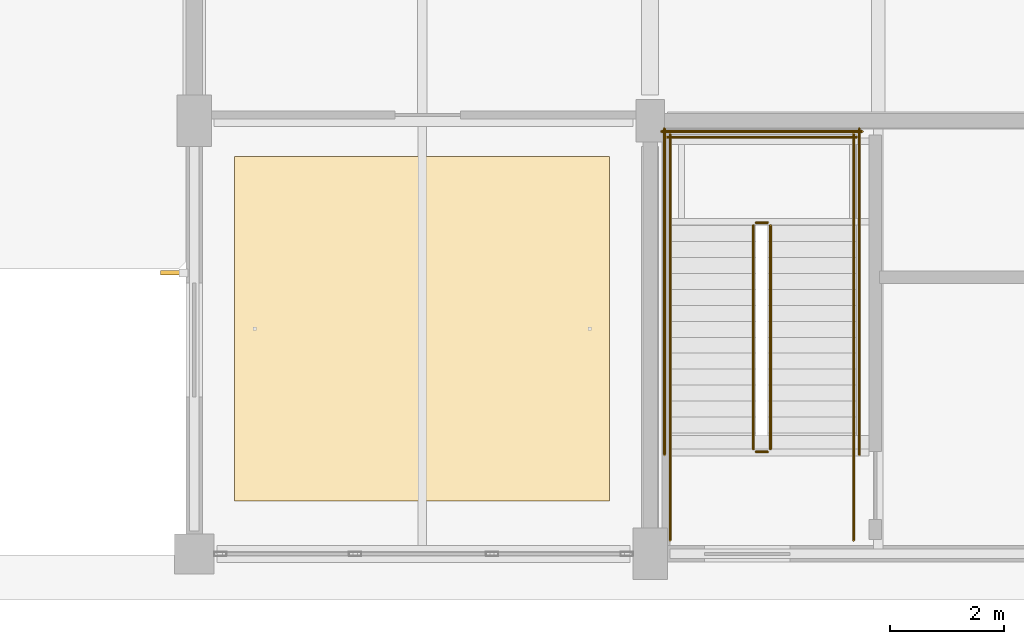
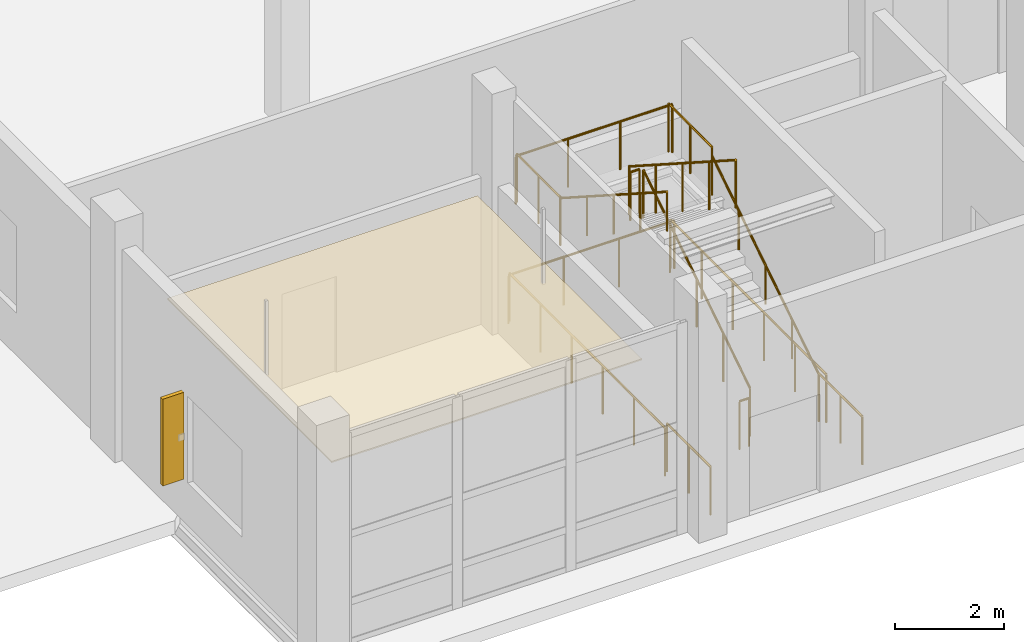
# One storey, part 114 of 126: 14 railings, 1 covering, 1 shading device.
"""IFC4 building model written with IfcOpenShell, lengths in metres."""

from ifc_helpers import new_model, si_unit, direction, frame, origin, origin_2d, place, context, subcontext, project, spatial, polyline, rectangle, circle, outline, extrude, material, layer, layer_set, type_object, element, save


model = new_model("IFC4")

# Units and contexts
model_context = context("Model", 3, precision=1e-05, world=origin(), true_north=direction((0.0, 1.0)))
body_context = subcontext(model_context, "Body", "Model", "MODEL_VIEW")
ifc_project = project(units=[si_unit("LENGTHUNIT", "METRE"), si_unit("AREAUNIT", "SQUARE_METRE"), si_unit("VOLUMEUNIT", "CUBIC_METRE"), si_unit("PLANEANGLEUNIT", "RADIAN"), si_unit("MASSUNIT", "GRAM", prefix="KILO")], contexts=[model_context])

# Site, building, storey
site_placement = place(None, origin())
site = spatial("IfcSite", under=ifc_project, at=site_placement, CompositionType="ELEMENT")
building_placement = place(site_placement, origin())
building = spatial("IfcBuilding", under=site, at=building_placement, Name="Khelvaren Railside Concert Hall", CompositionType="ELEMENT")
storey_placement = place(building_placement, origin())
storey = spatial("IfcBuildingStorey", under=building, at=storey_placement, Name="L00", CompositionType="ELEMENT", Elevation=0.0)

# Covering
ifc_material_1 = material(Name="Micro-perforated timber acoustic ceiling", Category="wood")
ifc_layer = layer(ifc_material_1, 0.030029296875)
ifc_layer_set = layer_set([ifc_layer], Name="Micro-perforated timber acoustic ceiling")
covering_type = type_object("IfcCoveringType", Name="CLG77", PredefinedType="CEILING", material=ifc_layer_set)
covering_placement = place(storey_placement, frame((0.0, 0.0, 3.419921875)))
element("IfcCovering", 1, at=covering_placement, inside=storey, type_object=covering_type, Name="Suspended Acoustic Ceiling Archive West Study Alcove L00", PredefinedType="CEILING", context=body_context, shape_type="SweptSolid", body=[
    extrude(outline(polyline([(64.7099609375, 0.929931640625), (71.2900390625, 0.929931640625), (71.2900390625, 6.969970703125), (64.7099609375, 6.969970703125), (64.7099609375, 0.929931640625)])), origin(), (0.0, 0.0, 1.0), 0.030029296875),
])

# Railings
ifc_material_2 = material(Name="Painted architectural steel", Category="steel")
railing_type_1 = type_object("IfcRailingType", Name="GRD86", PredefinedType="GUARDRAIL", material=ifc_material_2)
railing_1_placement = place(storey_placement, frame((74.110107421875, 1.840087890625, 0.179931640625)))
element("IfcRailing", 2, at=railing_1_placement, inside=storey, type_object=railing_type_1, Name="L00 ST-05 stair guard 1", PredefinedType="GUARDRAIL", context=body_context, shape_type="SweptSolid", body=[
    extrude(circle(Radius=0.02392578125, at=origin_2d()), frame((0.0, 0.0, 1.076171875), z_axis=(0.0, 0.841171666519, 0.540768182723), x_axis=(-1.0, 0.0, 0.0)), (0.0, 0.0, 1.0), 4.66015625),
    extrude(circle(Radius=0.02099609375, at=origin_2d()), origin(), (0.0, 0.0, 1.0), 1.052001953125),
    extrude(circle(Radius=0.02099609375, at=origin_2d()), frame((0.0, 0.97998046875, 0.6298828125)), (0.0, 0.0, 1.0), 1.052001953125),
    extrude(circle(Radius=0.02099609375, at=origin_2d()), frame((0.0, 1.9599609375, 1.260009765625)), (0.0, 0.0, 1.0), 1.052001953125),
    extrude(circle(Radius=0.02099609375, at=origin_2d()), frame((0.0, 2.93994140625, 1.89013671875)), (0.0, 0.0, 1.0), 1.052001953125),
    extrude(circle(Radius=0.02099609375, at=origin_2d()), frame((0.0, 3.919921875, 2.52001953125)), (0.0, 0.0, 1.0), 1.052001953125),
])
railing_2_placement = place(storey_placement, frame((74.06005859375, 5.81005859375, 2.699951171875)))
element("IfcRailing", 3, at=railing_2_placement, inside=storey, type_object=railing_type_1, Name="L00 ST-05 stair guard 2", PredefinedType="GUARDRAIL", context=body_context, shape_type="SweptSolid", body=[
    extrude(circle(Radius=0.02392578125, at=origin_2d()), frame((0.0, 0.0, 1.076171875), z_axis=(-1.0, 0.0, 0.0), x_axis=(0.0, -1.0, 0.0)), (0.0, 0.0, 1.0), 0.199951171875),
    extrude(circle(Radius=0.02099609375, at=origin_2d()), origin(), (0.0, 0.0, 1.0), 1.052001953125),
    extrude(circle(Radius=0.02099609375, at=origin_2d()), frame((-0.199951171875, 0.0, 0.0)), (0.0, 0.0, 1.0), 1.052001953125),
])
for number, where, name in (
    (4, (75.570068359375, 5.760009765625, 2.699951171875), "L00 ST-05 stair guard 3"),
    (5, (72.35009765625, 5.760009765625, 2.699951171875), "L00 ST-05 stair guard 4"),
):
    element("IfcRailing", number, at=place(storey_placement, frame(where)), inside=storey, type_object=railing_type_1, Name=name, PredefinedType="GUARDRAIL", context=body_context, shape_type="SweptSolid", body=[
        extrude(circle(Radius=0.02392578125, at=origin_2d()), frame((0.0, 0.0, 1.076171875), z_axis=(0.0, 1.0, 0.0), x_axis=(-1.0, 0.0, 0.0)), (0.0, 0.0, 1.0), 1.60009765625),
        extrude(circle(Radius=0.02099609375, at=origin_2d()), origin(), (0.0, 0.0, 1.0), 1.052001953125),
        extrude(circle(Radius=0.02099609375, at=origin_2d()), frame((0.0, 0.800048828125, 0.0)), (0.0, 0.0, 1.0), 1.052001953125),
        extrude(circle(Radius=0.02099609375, at=origin_2d()), frame((0.0, 1.60009765625, 0.0)), (0.0, 0.0, 1.0), 1.052001953125),
    ])
railing_3_placement = place(storey_placement, frame((75.6201171875, 7.31005859375, 2.699951171875)))
element("IfcRailing", 6, at=railing_3_placement, inside=storey, type_object=railing_type_1, Name="L00 ST-05 stair guard 5", PredefinedType="GUARDRAIL", context=body_context, shape_type="SweptSolid", body=[
    extrude(circle(Radius=0.02392578125, at=origin_2d()), frame((0.0, 0.0, 1.076171875), z_axis=(-1.0, 0.0, 0.0), x_axis=(0.0, -1.0, 0.0)), (0.0, 0.0, 1.0), 3.320068359375),
    extrude(circle(Radius=0.02099609375, at=origin_2d()), origin(), (0.0, 0.0, 1.0), 1.052001953125),
    extrude(circle(Radius=0.02099609375, at=origin_2d()), frame((-1.106689453125, 0.0, 0.0)), (0.0, 0.0, 1.0), 1.052001953125),
    extrude(circle(Radius=0.02099609375, at=origin_2d()), frame((-2.21337890625, 0.0, 0.0)), (0.0, 0.0, 1.0), 1.052001953125),
    extrude(circle(Radius=0.02099609375, at=origin_2d()), frame((-3.320068359375, 0.0, 0.0)), (0.0, 0.0, 1.0), 1.052001953125),
])
railing_4_placement = place(storey_placement, frame((73.81005859375, 5.760009765625, 2.8798828125)))
element("IfcRailing", 7, at=railing_4_placement, inside=storey, type_object=railing_type_1, Name="L00 ST-05 stair guard 6", PredefinedType="GUARDRAIL", context=body_context, shape_type="SweptSolid", body=[
    extrude(circle(Radius=0.02392578125, at=origin_2d()), frame((0.0, 0.0, 1.076171875), z_axis=(0.0, -0.841171666519, 0.540768182723), x_axis=(1.0, 0.0, 0.0)), (0.0, 0.0, 1.0), 4.66015625),
    extrude(circle(Radius=0.02099609375, at=origin_2d()), origin(), (0.0, 0.0, 1.0), 1.052001953125),
    extrude(circle(Radius=0.02099609375, at=origin_2d()), frame((0.0, -0.97998046875, 0.6298828125)), (0.0, 0.0, 1.0), 1.052001953125),
    extrude(circle(Radius=0.02099609375, at=origin_2d()), frame((0.0, -1.9599609375, 1.260009765625)), (0.0, 0.0, 1.0), 1.052001953125),
    extrude(circle(Radius=0.02099609375, at=origin_2d()), frame((0.0, -2.93994140625, 1.89013671875)), (0.0, 0.0, 1.0), 1.052001953125),
    extrude(circle(Radius=0.02099609375, at=origin_2d()), frame((0.0, -3.919921875, 2.52001953125)), (0.0, 0.0, 1.0), 1.052001953125),
])
railing_5_placement = place(storey_placement, frame((74.06005859375, 1.7900390625, 0.0)))
element("IfcRailing", 8, at=railing_5_placement, inside=storey, type_object=railing_type_1, Name="L00 ST-05 stair guard 7", PredefinedType="GUARDRAIL", context=body_context, shape_type="SweptSolid", body=[
    extrude(circle(Radius=0.02392578125, at=origin_2d()), frame((0.0, 0.0, 1.076171875), z_axis=(-1.0, 0.0, 0.0), x_axis=(0.0, -1.0, 0.0)), (0.0, 0.0, 1.0), 0.199951171875),
    extrude(circle(Radius=0.02099609375, at=origin_2d()), origin(), (0.0, 0.0, 1.0), 1.052001953125),
    extrude(circle(Radius=0.02099609375, at=origin_2d()), frame((-0.199951171875, 0.0, 0.0)), (0.0, 0.0, 1.0), 1.052001953125),
])
for number, where, name in (
    (9, (75.570068359375, 0.239990234375, 0.0), "L00 ST-05 stair guard 8"),
    (10, (72.35009765625, 0.239990234375, 0.0), "L00 ST-05 stair guard 9"),
):
    element("IfcRailing", number, at=place(storey_placement, frame(where)), inside=storey, type_object=railing_type_1, Name=name, PredefinedType="GUARDRAIL", context=body_context, shape_type="SweptSolid", body=[
        extrude(circle(Radius=0.02392578125, at=origin_2d()), frame((0.0, 0.0, 1.076171875), z_axis=(0.0, 1.0, 0.0), x_axis=(-1.0, 0.0, 0.0)), (0.0, 0.0, 1.0), 1.60009765625),
        extrude(circle(Radius=0.02099609375, at=origin_2d()), origin(), (0.0, 0.0, 1.0), 1.052001953125),
        extrude(circle(Radius=0.02099609375, at=origin_2d()), frame((0.0, 0.800048828125, 0.0)), (0.0, 0.0, 1.0), 1.052001953125),
        extrude(circle(Radius=0.02099609375, at=origin_2d()), frame((0.0, 1.60009765625, 0.0)), (0.0, 0.0, 1.0), 1.052001953125),
    ])
for number, where, name in (
    (11, (75.669921875, 1.739990234375, 0.0), "L00 ST-05 stair guard 10"),
    (12, (72.25, 1.739990234375, 0.0), "L00 ST-05 stair guard 11"),
):
    element("IfcRailing", number, at=place(storey_placement, frame(where)), inside=storey, type_object=railing_type_1, Name=name, PredefinedType="GUARDRAIL", context=body_context, shape_type="SweptSolid", body=[
        extrude(circle(Radius=0.02392578125, at=origin_2d()), frame((0.0, 0.0, 1.076171875), z_axis=(0.0, 1.0, 0.0), x_axis=(-1.0, 0.0, 0.0)), (0.0, 0.0, 1.0), 5.719970703125),
        extrude(circle(Radius=0.02099609375, at=origin_2d()), origin(), (0.0, 0.0, 1.0), 1.052001953125),
        extrude(circle(Radius=0.02099609375, at=origin_2d()), frame((0.0, 1.14404296875, 0.0)), (0.0, 0.0, 1.0), 1.052001953125),
        extrude(circle(Radius=0.02099609375, at=origin_2d()), frame((0.0, 2.2880859375, 0.0)), (0.0, 0.0, 1.0), 1.052001953125),
        extrude(circle(Radius=0.02099609375, at=origin_2d()), frame((0.0, 3.431884765625, 0.0)), (0.0, 0.0, 1.0), 1.052001953125),
        extrude(circle(Radius=0.02099609375, at=origin_2d()), frame((0.0, 4.575927734375, 0.0)), (0.0, 0.0, 1.0), 1.052001953125),
        extrude(circle(Radius=0.02099609375, at=origin_2d()), frame((0.0, 5.719970703125, 0.0)), (0.0, 0.0, 1.0), 1.052001953125),
    ])
railing_6_placement = place(storey_placement, frame((75.719970703125, 7.409912109375, 0.0)))
element("IfcRailing", 13, at=railing_6_placement, inside=storey, type_object=railing_type_1, Name="L00 ST-05 stair guard 12", PredefinedType="GUARDRAIL", context=body_context, shape_type="SweptSolid", body=[
    extrude(circle(Radius=0.02392578125, at=origin_2d()), frame((0.0, 0.0, 1.076171875), z_axis=(-1.0, 0.0, 0.0), x_axis=(0.0, -1.0, 0.0)), (0.0, 0.0, 1.0), 3.52001953125),
    extrude(circle(Radius=0.02099609375, at=origin_2d()), origin(), (0.0, 0.0, 1.0), 1.052001953125),
    extrude(circle(Radius=0.02099609375, at=origin_2d()), frame((-1.17333984375, 0.0, 0.0)), (0.0, 0.0, 1.0), 1.052001953125),
    extrude(circle(Radius=0.02099609375, at=origin_2d()), frame((-2.3466796875, 0.0, 0.0)), (0.0, 0.0, 1.0), 1.052001953125),
    extrude(circle(Radius=0.02099609375, at=origin_2d()), frame((-3.52001953125, 0.0, 0.0)), (0.0, 0.0, 1.0), 1.052001953125),
])
ifc_material_3 = material(Name="Brushed stainless steel Grade 316", Category="steel")
railing_type_2 = type_object("IfcRailingType", Name="HRL59", PredefinedType="HANDRAIL", material=ifc_material_3)
railing_7_placement = place(storey_placement, frame((75.570068359375, 1.840087890625, 0.179931640625)))
element("IfcRailing", 14, at=railing_7_placement, inside=storey, type_object=railing_type_2, Name="L00 ST-05 stair handrail 1", PredefinedType="HANDRAIL", context=body_context, shape_type="SweptSolid", body=[
    extrude(circle(Radius=0.02392578125, at=origin_2d()), frame((0.0, 0.0, 0.8759765625), z_axis=(0.0, 0.841171666519, 0.540768182723), x_axis=(-1.0, 0.0, 0.0)), (0.0, 0.0, 1.0), 4.66015625),
    extrude(circle(Radius=0.02099609375, at=origin_2d()), origin(), (0.0, 0.0, 1.0), 0.851806640625),
    extrude(circle(Radius=0.02099609375, at=origin_2d()), frame((0.0, 0.97998046875, 0.6298828125)), (0.0, 0.0, 1.0), 0.851806640625),
    extrude(circle(Radius=0.02099609375, at=origin_2d()), frame((0.0, 1.9599609375, 1.260009765625)), (0.0, 0.0, 1.0), 0.851806640625),
    extrude(circle(Radius=0.02099609375, at=origin_2d()), frame((0.0, 2.93994140625, 1.89013671875)), (0.0, 0.0, 1.0), 0.851806640625),
    extrude(circle(Radius=0.02099609375, at=origin_2d()), frame((0.0, 3.919921875, 2.52001953125)), (0.0, 0.0, 1.0), 0.851806640625),
])
railing_8_placement = place(storey_placement, frame((72.35009765625, 5.760009765625, 2.8798828125)))
element("IfcRailing", 15, at=railing_8_placement, inside=storey, type_object=railing_type_2, Name="L00 ST-05 stair handrail 2", PredefinedType="HANDRAIL", context=body_context, shape_type="SweptSolid", body=[
    extrude(circle(Radius=0.02392578125, at=origin_2d()), frame((0.0, 0.0, 0.8759765625), z_axis=(0.0, -0.841171666519, 0.540768182723), x_axis=(1.0, 0.0, 0.0)), (0.0, 0.0, 1.0), 4.66015625),
    extrude(circle(Radius=0.02099609375, at=origin_2d()), origin(), (0.0, 0.0, 1.0), 0.851806640625),
    extrude(circle(Radius=0.02099609375, at=origin_2d()), frame((0.0, -0.97998046875, 0.6298828125)), (0.0, 0.0, 1.0), 0.851806640625),
    extrude(circle(Radius=0.02099609375, at=origin_2d()), frame((0.0, -1.9599609375, 1.260009765625)), (0.0, 0.0, 1.0), 0.851806640625),
    extrude(circle(Radius=0.02099609375, at=origin_2d()), frame((0.0, -2.93994140625, 1.89013671875)), (0.0, 0.0, 1.0), 0.851806640625),
    extrude(circle(Radius=0.02099609375, at=origin_2d()), frame((0.0, -3.919921875, 2.52001953125)), (0.0, 0.0, 1.0), 0.851806640625),
])

# Shading device
ifc_material_4 = material(Name="Anodised bronze aluminium 6063-T6", Category="aluminium")
shading_device_type = type_object("IfcShadingDeviceType", Name="SFN18", PredefinedType="USERDEFINED", material=ifc_material_4)
shading_device_placement = place(storey_placement, frame((63.635009765625, 4.929931640625, 0.9501953125), z_axis=(0.0, 0.0, 1.0), x_axis=(0.0, 1.0, 0.0)))
element("IfcShadingDevice", 16, at=shading_device_placement, inside=storey, type_object=shading_device_type, Name="Bronze Solar Shading Fin EW-V3-L00-W-0", ObjectType="SOLAR FIN", PredefinedType="USERDEFINED", context=body_context, shape_type="SweptSolid", body=[
    extrude(rectangle(XDim=0.080078125, YDim=0.449951171875, at=origin_2d()), origin(), (0.0, 0.0, 1.0), 1.949951171875),
])

save(model, "model.ifc")
